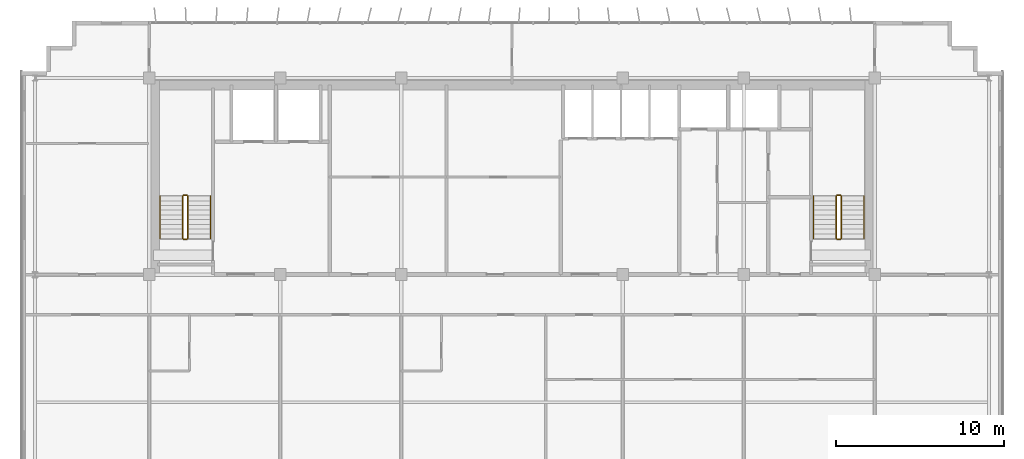
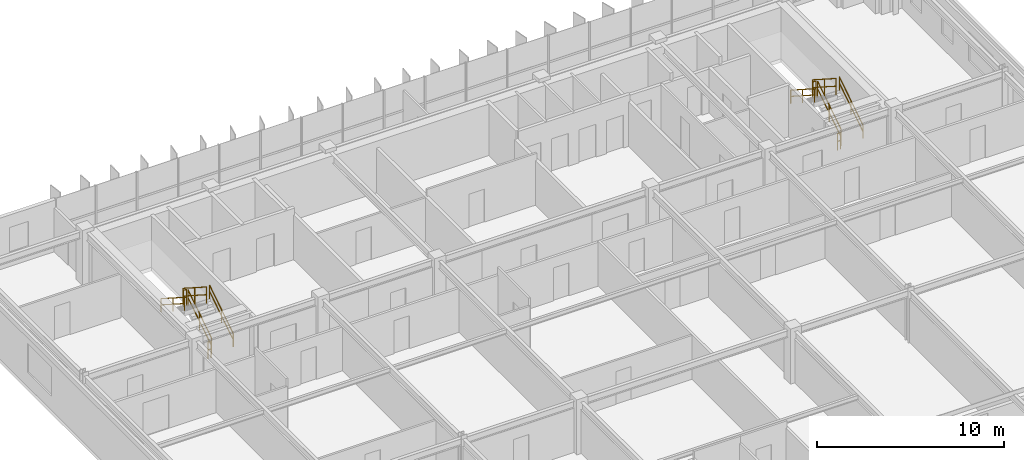
# One storey, part 23 of 23: 12 railings.
"""IFC4 building model written with IfcOpenShell, lengths in metres."""

from ifc_helpers import new_model, si_unit, direction, frame, origin, origin_2d, place, context, subcontext, project, spatial, rectangle, extrude, material, type_object, element, save


model = new_model("IFC4")

# Units and contexts
model_context = context("Model", 3, precision=1e-05, world=origin(), true_north=direction((0.0, 1.0)))
body_context = subcontext(model_context, "Body", "Model", "MODEL_VIEW")
ifc_project = project(units=[si_unit("LENGTHUNIT", "METRE"), si_unit("AREAUNIT", "SQUARE_METRE"), si_unit("VOLUMEUNIT", "CUBIC_METRE"), si_unit("PLANEANGLEUNIT", "RADIAN"), si_unit("MASSUNIT", "GRAM", prefix="KILO")], contexts=[model_context])

# Site, building, storey
site_placement = place(None, origin())
site = spatial("IfcSite", under=ifc_project, at=site_placement, CompositionType="ELEMENT")
building_placement = place(site_placement, origin())
building = spatial("IfcBuilding", under=site, at=building_placement, Name="Trelvane Seafront Commons", CompositionType="ELEMENT")
storey_placement = place(building_placement, frame((0.0, 0.0, 230.10009765625)))
storey = spatial("IfcBuildingStorey", under=building, at=storey_placement, Name="L60", CompositionType="ELEMENT", Elevation=230.10009765625)

# Railings
ifc_material = material(Name="Stainless steel balustrade", Category="steel")
railing_type_1 = type_object("IfcRailingType", Name="ARCH-SRL-GUARD", PredefinedType="GUARDRAIL", material=ifc_material)
railing_1_placement = place(storey_placement, frame((17.89990234375, 35.550048828125, 0.179931640625)))
element("IfcRailing", 1, at=railing_1_placement, inside=storey, type_object=railing_type_1, Name="L60 ST-1 stair guard 1", PredefinedType="GUARDRAIL", context=body_context, shape_type="SweptSolid", body=[
    extrude(rectangle(XDim=0.048095703125, YDim=0.048095703125, at=origin_2d()), frame((0.0, 0.0, 1.076171875), z_axis=(0.0, 0.841199657755, 0.540724639528), x_axis=(-1.0, 0.0, 0.0)), (0.0, 0.0, 1.0), 2.995849609375),
    extrude(rectangle(XDim=0.048095703125, YDim=0.048095703125, at=origin_2d()), frame((0.0, 0.0, 0.572021484375), z_axis=(0.0, 0.841199657755, 0.540724639528), x_axis=(-1.0, 0.0, 0.0)), (0.0, 0.0, 1.0), 2.995849609375),
    extrude(rectangle(XDim=0.0419921875, YDim=0.0419921875, at=origin_2d()), origin(), (0.0, 0.0, 1.0), 1.076171875),
    extrude(rectangle(XDim=0.0419921875, YDim=0.0419921875, at=origin_2d()), frame((0.0, 1.260009765625, 0.81005859375)), (0.0, 0.0, 1.0), 1.076171875),
    extrude(rectangle(XDim=0.0419921875, YDim=0.0419921875, at=origin_2d()), frame((0.0, 2.52001953125, 1.619873046875)), (0.0, 0.0, 1.0), 1.076171875),
])
railing_2_placement = place(storey_placement, frame((17.85009765625, 38.1201171875, 1.7998046875)))
element("IfcRailing", 2, at=railing_2_placement, inside=storey, type_object=railing_type_1, Name="L60 ST-1 stair guard 2", PredefinedType="GUARDRAIL", context=body_context, shape_type="SweptSolid", body=[
    extrude(rectangle(XDim=0.048095703125, YDim=0.048095703125, at=origin_2d()), frame((0.0, 0.0, 1.076171875), z_axis=(-1.0, 0.0, 0.0), x_axis=(0.0, -1.0, 0.0)), (0.0, 0.0, 1.0), 0.2001953125),
    extrude(rectangle(XDim=0.048095703125, YDim=0.048095703125, at=origin_2d()), frame((0.0, 0.0, 0.572021484375), z_axis=(-1.0, 0.0, 0.0), x_axis=(0.0, -1.0, 0.0)), (0.0, 0.0, 1.0), 0.2001953125),
    extrude(rectangle(XDim=0.0419921875, YDim=0.0419921875, at=origin_2d()), origin(), (0.0, 0.0, 1.0), 1.076171875),
    extrude(rectangle(XDim=0.0419921875, YDim=0.0419921875, at=origin_2d()), frame((-0.2001953125, 0.0, 0.0)), (0.0, 0.0, 1.0), 1.076171875),
])
railing_3_placement = place(storey_placement, frame((17.60009765625, 38.070068359375, 1.97998046875)))
element("IfcRailing", 3, at=railing_3_placement, inside=storey, type_object=railing_type_1, Name="L60 ST-1 stair guard 3", PredefinedType="GUARDRAIL", context=body_context, shape_type="SweptSolid", body=[
    extrude(rectangle(XDim=0.048095703125, YDim=0.048095703125, at=origin_2d()), frame((0.0, 0.0, 1.076171875), z_axis=(0.0, -0.841199657755, 0.540724639528), x_axis=(1.0, 0.0, 0.0)), (0.0, 0.0, 1.0), 2.995849609375),
    extrude(rectangle(XDim=0.048095703125, YDim=0.048095703125, at=origin_2d()), frame((0.0, 0.0, 0.572021484375), z_axis=(0.0, -0.841199657755, 0.540724639528), x_axis=(1.0, 0.0, 0.0)), (0.0, 0.0, 1.0), 2.995849609375),
    extrude(rectangle(XDim=0.0419921875, YDim=0.0419921875, at=origin_2d()), origin(), (0.0, 0.0, 1.0), 1.076171875),
    extrude(rectangle(XDim=0.0419921875, YDim=0.0419921875, at=origin_2d()), frame((0.0, -1.260009765625, 0.81005859375)), (0.0, 0.0, 1.0), 1.076171875),
    extrude(rectangle(XDim=0.0419921875, YDim=0.0419921875, at=origin_2d()), frame((0.0, -2.52001953125, 1.619873046875)), (0.0, 0.0, 1.0), 1.076171875),
])
railing_4_placement = place(storey_placement, frame((17.85009765625, 35.5, 0.0)))
element("IfcRailing", 4, at=railing_4_placement, inside=storey, type_object=railing_type_1, Name="L60 ST-1 stair guard 4", PredefinedType="GUARDRAIL", context=body_context, shape_type="SweptSolid", body=[
    extrude(rectangle(XDim=0.048095703125, YDim=0.048095703125, at=origin_2d()), frame((0.0, 0.0, 1.076171875), z_axis=(-1.0, 0.0, 0.0), x_axis=(0.0, -1.0, 0.0)), (0.0, 0.0, 1.0), 0.2001953125),
    extrude(rectangle(XDim=0.048095703125, YDim=0.048095703125, at=origin_2d()), frame((0.0, 0.0, 0.572021484375), z_axis=(-1.0, 0.0, 0.0), x_axis=(0.0, -1.0, 0.0)), (0.0, 0.0, 1.0), 0.2001953125),
    extrude(rectangle(XDim=0.0419921875, YDim=0.0419921875, at=origin_2d()), origin(), (0.0, 0.0, 1.0), 1.076171875),
    extrude(rectangle(XDim=0.0419921875, YDim=0.0419921875, at=origin_2d()), frame((-0.2001953125, 0.0, 0.0)), (0.0, 0.0, 1.0), 1.076171875),
])
railing_5_placement = place(storey_placement, frame((56.800048828125, 35.550048828125, 0.179931640625)))
element("IfcRailing", 5, at=railing_5_placement, inside=storey, type_object=railing_type_1, Name="L60 ST-2 stair guard 1", PredefinedType="GUARDRAIL", context=body_context, shape_type="SweptSolid", body=[
    extrude(rectangle(XDim=0.048095703125, YDim=0.048095703125, at=origin_2d()), frame((0.0, 0.0, 1.076171875), z_axis=(0.0, 0.841199657755, 0.540724639528), x_axis=(-1.0, 0.0, 0.0)), (0.0, 0.0, 1.0), 2.995849609375),
    extrude(rectangle(XDim=0.048095703125, YDim=0.048095703125, at=origin_2d()), frame((0.0, 0.0, 0.572021484375), z_axis=(0.0, 0.841199657755, 0.540724639528), x_axis=(-1.0, 0.0, 0.0)), (0.0, 0.0, 1.0), 2.995849609375),
    extrude(rectangle(XDim=0.0419921875, YDim=0.0419921875, at=origin_2d()), origin(), (0.0, 0.0, 1.0), 1.076171875),
    extrude(rectangle(XDim=0.0419921875, YDim=0.0419921875, at=origin_2d()), frame((0.0, 1.260009765625, 0.81005859375)), (0.0, 0.0, 1.0), 1.076171875),
    extrude(rectangle(XDim=0.0419921875, YDim=0.0419921875, at=origin_2d()), frame((0.0, 2.52001953125, 1.619873046875)), (0.0, 0.0, 1.0), 1.076171875),
])
railing_6_placement = place(storey_placement, frame((56.75, 38.1201171875, 1.7998046875)))
element("IfcRailing", 6, at=railing_6_placement, inside=storey, type_object=railing_type_1, Name="L60 ST-2 stair guard 2", PredefinedType="GUARDRAIL", context=body_context, shape_type="SweptSolid", body=[
    extrude(rectangle(XDim=0.048095703125, YDim=0.048095703125, at=origin_2d()), frame((0.0, 0.0, 1.076171875), z_axis=(-1.0, 0.0, 0.0), x_axis=(0.0, -1.0, 0.0)), (0.0, 0.0, 1.0), 0.199951171875),
    extrude(rectangle(XDim=0.048095703125, YDim=0.048095703125, at=origin_2d()), frame((0.0, 0.0, 0.572021484375), z_axis=(-1.0, 0.0, 0.0), x_axis=(0.0, -1.0, 0.0)), (0.0, 0.0, 1.0), 0.199951171875),
    extrude(rectangle(XDim=0.0419921875, YDim=0.0419921875, at=origin_2d()), origin(), (0.0, 0.0, 1.0), 1.076171875),
    extrude(rectangle(XDim=0.0419921875, YDim=0.0419921875, at=origin_2d()), frame((-0.199951171875, 0.0, 0.0)), (0.0, 0.0, 1.0), 1.076171875),
])
railing_7_placement = place(storey_placement, frame((56.5, 38.070068359375, 1.97998046875)))
element("IfcRailing", 7, at=railing_7_placement, inside=storey, type_object=railing_type_1, Name="L60 ST-2 stair guard 3", PredefinedType="GUARDRAIL", context=body_context, shape_type="SweptSolid", body=[
    extrude(rectangle(XDim=0.048095703125, YDim=0.048095703125, at=origin_2d()), frame((0.0, 0.0, 1.076171875), z_axis=(0.0, -0.841199657755, 0.540724639528), x_axis=(1.0, 0.0, 0.0)), (0.0, 0.0, 1.0), 2.995849609375),
    extrude(rectangle(XDim=0.048095703125, YDim=0.048095703125, at=origin_2d()), frame((0.0, 0.0, 0.572021484375), z_axis=(0.0, -0.841199657755, 0.540724639528), x_axis=(1.0, 0.0, 0.0)), (0.0, 0.0, 1.0), 2.995849609375),
    extrude(rectangle(XDim=0.0419921875, YDim=0.0419921875, at=origin_2d()), origin(), (0.0, 0.0, 1.0), 1.076171875),
    extrude(rectangle(XDim=0.0419921875, YDim=0.0419921875, at=origin_2d()), frame((0.0, -1.260009765625, 0.81005859375)), (0.0, 0.0, 1.0), 1.076171875),
    extrude(rectangle(XDim=0.0419921875, YDim=0.0419921875, at=origin_2d()), frame((0.0, -2.52001953125, 1.619873046875)), (0.0, 0.0, 1.0), 1.076171875),
])
railing_8_placement = place(storey_placement, frame((56.75, 35.5, 0.0)))
element("IfcRailing", 8, at=railing_8_placement, inside=storey, type_object=railing_type_1, Name="L60 ST-2 stair guard 4", PredefinedType="GUARDRAIL", context=body_context, shape_type="SweptSolid", body=[
    extrude(rectangle(XDim=0.048095703125, YDim=0.048095703125, at=origin_2d()), frame((0.0, 0.0, 1.076171875), z_axis=(-1.0, 0.0, 0.0), x_axis=(0.0, -1.0, 0.0)), (0.0, 0.0, 1.0), 0.199951171875),
    extrude(rectangle(XDim=0.048095703125, YDim=0.048095703125, at=origin_2d()), frame((0.0, 0.0, 0.572021484375), z_axis=(-1.0, 0.0, 0.0), x_axis=(0.0, -1.0, 0.0)), (0.0, 0.0, 1.0), 0.199951171875),
    extrude(rectangle(XDim=0.0419921875, YDim=0.0419921875, at=origin_2d()), origin(), (0.0, 0.0, 1.0), 1.076171875),
    extrude(rectangle(XDim=0.0419921875, YDim=0.0419921875, at=origin_2d()), frame((-0.199951171875, 0.0, 0.0)), (0.0, 0.0, 1.0), 1.076171875),
])
railing_type_2 = type_object("IfcRailingType", Name="ARCH-SRL-HAND", PredefinedType="HANDRAIL", material=ifc_material)
railing_9_placement = place(storey_placement, frame((19.25, 35.550048828125, 0.179931640625)))
element("IfcRailing", 9, at=railing_9_placement, inside=storey, type_object=railing_type_2, Name="L60 ST-1 stair handrail 1", PredefinedType="HANDRAIL", context=body_context, shape_type="SweptSolid", body=[
    extrude(rectangle(XDim=0.048095703125, YDim=0.048095703125, at=origin_2d()), frame((0.0, 0.0, 0.8759765625), z_axis=(0.0, 0.841199657755, 0.540724639528), x_axis=(-1.0, 0.0, 0.0)), (0.0, 0.0, 1.0), 2.995849609375),
    extrude(rectangle(XDim=0.048095703125, YDim=0.048095703125, at=origin_2d()), frame((0.0, 0.0, 0.468017578125), z_axis=(0.0, 0.841199657755, 0.540724639528), x_axis=(-1.0, 0.0, 0.0)), (0.0, 0.0, 1.0), 2.995849609375),
    extrude(rectangle(XDim=0.0419921875, YDim=0.0419921875, at=origin_2d()), origin(), (0.0, 0.0, 1.0), 0.8759765625),
    extrude(rectangle(XDim=0.0419921875, YDim=0.0419921875, at=origin_2d()), frame((0.0, 1.260009765625, 0.81005859375)), (0.0, 0.0, 1.0), 0.8759765625),
    extrude(rectangle(XDim=0.0419921875, YDim=0.0419921875, at=origin_2d()), frame((0.0, 2.52001953125, 1.619873046875)), (0.0, 0.0, 1.0), 0.8759765625),
])
railing_10_placement = place(storey_placement, frame((16.25, 38.070068359375, 1.97998046875)))
element("IfcRailing", 10, at=railing_10_placement, inside=storey, type_object=railing_type_2, Name="L60 ST-1 stair handrail 2", PredefinedType="HANDRAIL", context=body_context, shape_type="SweptSolid", body=[
    extrude(rectangle(XDim=0.048095703125, YDim=0.048095703125, at=origin_2d()), frame((0.0, 0.0, 0.8759765625), z_axis=(0.0, -0.841199657755, 0.540724639528), x_axis=(1.0, 0.0, 0.0)), (0.0, 0.0, 1.0), 2.995849609375),
    extrude(rectangle(XDim=0.048095703125, YDim=0.048095703125, at=origin_2d()), frame((0.0, 0.0, 0.468017578125), z_axis=(0.0, -0.841199657755, 0.540724639528), x_axis=(1.0, 0.0, 0.0)), (0.0, 0.0, 1.0), 2.995849609375),
    extrude(rectangle(XDim=0.0419921875, YDim=0.0419921875, at=origin_2d()), origin(), (0.0, 0.0, 1.0), 0.8759765625),
    extrude(rectangle(XDim=0.0419921875, YDim=0.0419921875, at=origin_2d()), frame((0.0, -1.260009765625, 0.81005859375)), (0.0, 0.0, 1.0), 0.8759765625),
    extrude(rectangle(XDim=0.0419921875, YDim=0.0419921875, at=origin_2d()), frame((0.0, -2.52001953125, 1.619873046875)), (0.0, 0.0, 1.0), 0.8759765625),
])
railing_11_placement = place(storey_placement, frame((58.14990234375, 35.550048828125, 0.179931640625)))
element("IfcRailing", 11, at=railing_11_placement, inside=storey, type_object=railing_type_2, Name="L60 ST-2 stair handrail 1", PredefinedType="HANDRAIL", context=body_context, shape_type="SweptSolid", body=[
    extrude(rectangle(XDim=0.048095703125, YDim=0.048095703125, at=origin_2d()), frame((0.0, 0.0, 0.8759765625), z_axis=(0.0, 0.841199657755, 0.540724639528), x_axis=(-1.0, 0.0, 0.0)), (0.0, 0.0, 1.0), 2.995849609375),
    extrude(rectangle(XDim=0.048095703125, YDim=0.048095703125, at=origin_2d()), frame((0.0, 0.0, 0.468017578125), z_axis=(0.0, 0.841199657755, 0.540724639528), x_axis=(-1.0, 0.0, 0.0)), (0.0, 0.0, 1.0), 2.995849609375),
    extrude(rectangle(XDim=0.0419921875, YDim=0.0419921875, at=origin_2d()), origin(), (0.0, 0.0, 1.0), 0.8759765625),
    extrude(rectangle(XDim=0.0419921875, YDim=0.0419921875, at=origin_2d()), frame((0.0, 1.260009765625, 0.81005859375)), (0.0, 0.0, 1.0), 0.8759765625),
    extrude(rectangle(XDim=0.0419921875, YDim=0.0419921875, at=origin_2d()), frame((0.0, 2.52001953125, 1.619873046875)), (0.0, 0.0, 1.0), 0.8759765625),
])
railing_12_placement = place(storey_placement, frame((55.14990234375, 38.070068359375, 1.97998046875)))
element("IfcRailing", 12, at=railing_12_placement, inside=storey, type_object=railing_type_2, Name="L60 ST-2 stair handrail 2", PredefinedType="HANDRAIL", context=body_context, shape_type="SweptSolid", body=[
    extrude(rectangle(XDim=0.048095703125, YDim=0.048095703125, at=origin_2d()), frame((0.0, 0.0, 0.8759765625), z_axis=(0.0, -0.841199657755, 0.540724639528), x_axis=(1.0, 0.0, 0.0)), (0.0, 0.0, 1.0), 2.995849609375),
    extrude(rectangle(XDim=0.048095703125, YDim=0.048095703125, at=origin_2d()), frame((0.0, 0.0, 0.468017578125), z_axis=(0.0, -0.841199657755, 0.540724639528), x_axis=(1.0, 0.0, 0.0)), (0.0, 0.0, 1.0), 2.995849609375),
    extrude(rectangle(XDim=0.0419921875, YDim=0.0419921875, at=origin_2d()), origin(), (0.0, 0.0, 1.0), 0.8759765625),
    extrude(rectangle(XDim=0.0419921875, YDim=0.0419921875, at=origin_2d()), frame((0.0, -1.260009765625, 0.81005859375)), (0.0, 0.0, 1.0), 0.8759765625),
    extrude(rectangle(XDim=0.0419921875, YDim=0.0419921875, at=origin_2d()), frame((0.0, -2.52001953125, 1.619873046875)), (0.0, 0.0, 1.0), 0.8759765625),
])

save(model, "model.ifc")
